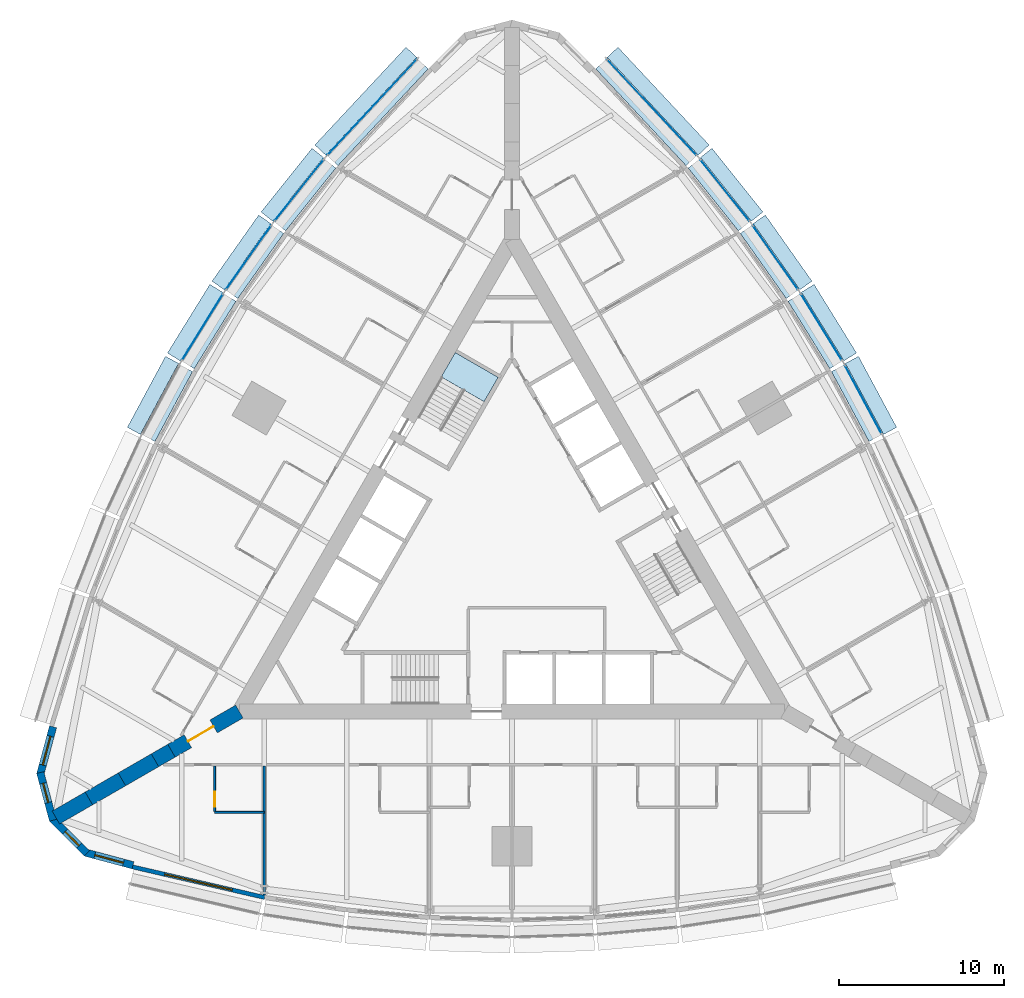
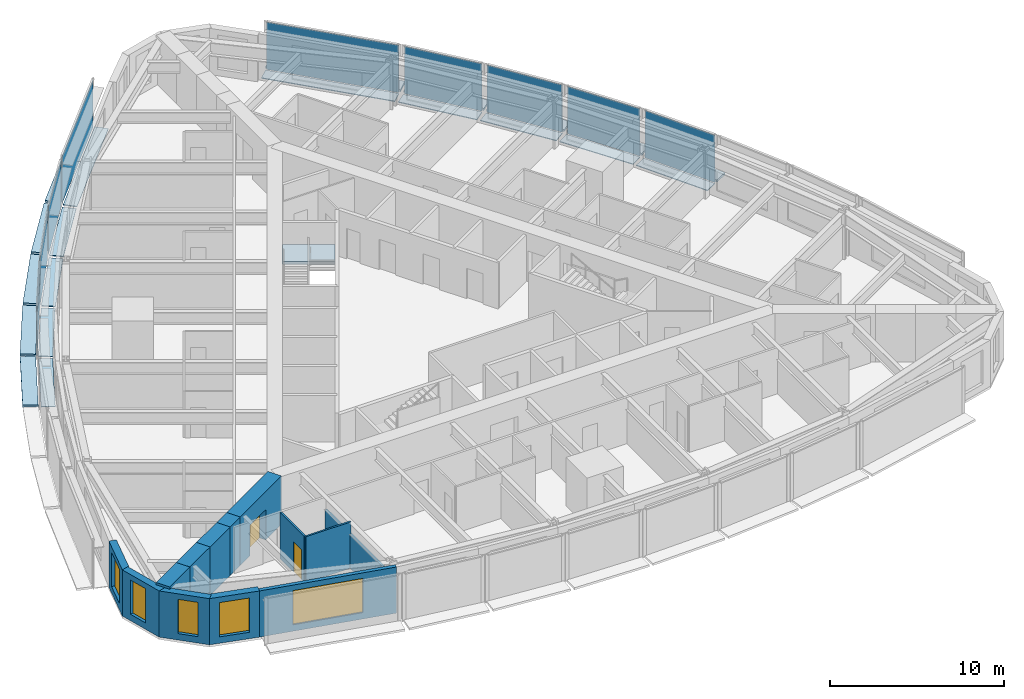
# One storey, part 7 of 14: 29 plates, 13 walls, 5 windows, 2 doors, 1 slab, 7 openings, 10 elements without a shape of their own.
"""IFC4 building model written with IfcOpenShell, lengths in metres."""

from ifc_helpers import new_model, si_unit, direction, frame, frame_2d, origin, origin_2d, place, context, subcontext, project, spatial, polyline, rectangle, outline, extrude, material, layer, layer_set, type_object, element, fill, aggregate, save


model = new_model("IFC4")

# Units and contexts
model_context = context("Model", 3, precision=1e-05, world=origin(), true_north=direction((0.0, 1.0)))
body_context = subcontext(model_context, "Body", "Model", "MODEL_VIEW")
ifc_project = project(units=[si_unit("LENGTHUNIT", "METRE"), si_unit("AREAUNIT", "SQUARE_METRE"), si_unit("VOLUMEUNIT", "CUBIC_METRE"), si_unit("PLANEANGLEUNIT", "RADIAN"), si_unit("MASSUNIT", "GRAM", prefix="KILO")], contexts=[model_context])

# Site, building, storey
site_placement = place(None, origin())
site = spatial("IfcSite", under=ifc_project, at=site_placement, CompositionType="ELEMENT")
building_placement = place(site_placement, origin())
building = spatial("IfcBuilding", under=site, at=building_placement, Name="Trikona Tower", CompositionType="ELEMENT")
storey_placement = place(building_placement, frame((0.0, 0.0, 93.10009765625)))
storey = spatial("IfcBuildingStorey", under=building, at=storey_placement, Name="L24", CompositionType="ELEMENT", Elevation=93.10009765625)

# Plates
ifc_material_1 = material(Name="Aluminium bar grating", Category="aluminium")
ifc_layer_1 = layer(ifc_material_1, 0.050048828125)
ifc_layer_set_1 = layer_set([ifc_layer_1], Name="Cavity catwalk grating")
plate_type_1 = type_object("IfcPlateType", Name="Cavity catwalk grating", PredefinedType="USERDEFINED", material=ifc_layer_set_1)
for number, where, z_axis, x_axis, name in (
    (1, (20.833740234375, 9.127197265625, -0.05029296875), (0.0, 0.0, 1.0), (-0.473422672721, 0.880835383572, 0.0), "Cavity catwalk L24-15"),
    (2, (18.3212890625, 13.47900390625, -0.05029296875), (0.0, 0.0, 1.0), (-0.526118935114, 0.85041099835, 0.0), "Cavity catwalk L24-16"),
):
    element("IfcPlate", number, at=place(storey_placement, frame(where, z_axis=z_axis, x_axis=x_axis)), inside=storey, type_object=plate_type_1, Name=name, ObjectType="CATWALK GRATING", PredefinedType="USERDEFINED", context=body_context, shape_type="SweptSolid", body=[
        extrude(rectangle(XDim=4.80224609375, YDim=0.820068359375, at=origin_2d()), origin(), (0.0, 0.0, 1.0), 0.050048828125),
    ])
plate_1_placement = place(storey_placement, frame((15.544189453125, 17.677734375, -0.05029296875), z_axis=(0.0, 0.0, 1.0), x_axis=(-0.576661909499, 0.816982889743, 0.0)))
element("IfcPlate", 3, at=plate_1_placement, inside=storey, type_object=plate_type_1, Name="Cavity catwalk L24-17", ObjectType="CATWALK GRATING", PredefinedType="USERDEFINED", context=body_context, shape_type="SweptSolid", body=[
    extrude(rectangle(XDim=4.82080078125, YDim=0.820068359375, at=origin_2d()), origin(), (0.0, 0.0, 1.0), 0.050048828125),
])
plate_2_placement = place(storey_placement, frame((12.502197265625, 21.72314453125, -0.05029296875), z_axis=(0.0, 0.0, 1.0), x_axis=(-0.624603618277, 0.780941944087, 0.0)))
element("IfcPlate", 4, at=plate_2_placement, inside=storey, type_object=plate_type_1, Name="Cavity catwalk L24-18", ObjectType="CATWALK GRATING", PredefinedType="USERDEFINED", context=body_context, shape_type="SweptSolid", body=[
    extrude(rectangle(XDim=4.857666015625, YDim=0.820068359375, at=origin_2d()), origin(), (0.0, 0.0, 1.0), 0.050048828125),
])
for number, where, z_axis, x_axis, name in (
    (5, (8.10107421875, 26.72314453125, -0.05029296875), (0.0, 0.0, 1.0), (-0.682298269147, 0.731073916864, 0.0), "Cavity catwalk L24-19"),
    (6, (-8.10107421875, 26.72314453125, -0.05029296875), (0.0, 0.0, 1.0), (-0.682298269147, -0.731073916864, 0.0), "Cavity catwalk L24-24"),
):
    element("IfcPlate", number, at=place(storey_placement, frame(where, z_axis=z_axis, x_axis=x_axis)), inside=storey, type_object=plate_type_1, Name=name, ObjectType="CATWALK GRATING", PredefinedType="USERDEFINED", context=body_context, shape_type="SweptSolid", body=[
        extrude(rectangle(XDim=8.01123046875, YDim=0.820068359375, at=origin_2d()), origin(), (0.0, 0.0, 1.0), 0.050048828125),
    ])
plate_3_placement = place(storey_placement, frame((-12.502197265625, 21.72314453125, -0.05029296875), z_axis=(0.0, 0.0, 1.0), x_axis=(-0.624603618277, -0.780941944087, 0.0)))
element("IfcPlate", 7, at=plate_3_placement, inside=storey, type_object=plate_type_1, Name="Cavity catwalk L24-25", ObjectType="CATWALK GRATING", PredefinedType="USERDEFINED", context=body_context, shape_type="SweptSolid", body=[
    extrude(rectangle(XDim=4.857666015625, YDim=0.820068359375, at=origin_2d()), origin(), (0.0, 0.0, 1.0), 0.050048828125),
])
plate_4_placement = place(storey_placement, frame((-15.544189453125, 17.677734375, -0.05029296875), z_axis=(0.0, 0.0, 1.0), x_axis=(-0.576661909499, -0.816982889743, 0.0)))
element("IfcPlate", 8, at=plate_4_placement, inside=storey, type_object=plate_type_1, Name="Cavity catwalk L24-26", ObjectType="CATWALK GRATING", PredefinedType="USERDEFINED", context=body_context, shape_type="SweptSolid", body=[
    extrude(rectangle(XDim=4.82080078125, YDim=0.820068359375, at=origin_2d()), origin(), (0.0, 0.0, 1.0), 0.050048828125),
])
for number, where, z_axis, x_axis, name in (
    (9, (-18.3212890625, 13.47900390625, -0.05029296875), (0.0, 0.0, 1.0), (-0.526118935114, -0.85041099835, 0.0), "Cavity catwalk L24-27"),
    (10, (-20.833740234375, 9.127197265625, -0.05029296875), (0.0, 0.0, 1.0), (-0.473422672721, -0.880835383572, 0.0), "Cavity catwalk L24-28"),
):
    element("IfcPlate", number, at=place(storey_placement, frame(where, z_axis=z_axis, x_axis=x_axis)), inside=storey, type_object=plate_type_1, Name=name, ObjectType="CATWALK GRATING", PredefinedType="USERDEFINED", context=body_context, shape_type="SweptSolid", body=[
        extrude(rectangle(XDim=4.80224609375, YDim=0.820068359375, at=origin_2d()), origin(), (0.0, 0.0, 1.0), 0.050048828125),
    ])

# Curtain wall, plate
ifc_material_2 = material(Name="Aluminium curtain wall system", Category="aluminium")
curtain_wall_type = type_object("IfcCurtainWallType", Name="Curtain wall DS1", PredefinedType="NOTDEFINED", material=ifc_material_2)
curtain_wall_1_placement = place(storey_placement, origin())
curtain_wall_1 = element("IfcCurtainWall", 11, at=curtain_wall_1_placement, inside=storey, type_object=curtain_wall_type, Name="Curtain wall DS1 L24", PredefinedType="NOTDEFINED")
ifc_material_3 = material(Name="Laminated clear glass", Category="glass")
ifc_layer_2 = layer(ifc_material_3, 0.028076171875)
ifc_layer_set_2 = layer_set([ifc_layer_2], Name="Glass panel DS1")
plate_type_2 = type_object("IfcPlateType", Name="Glass panel DS1", PredefinedType="CURTAIN_PANEL", material=ifc_layer_set_2)
plate_5_placement = place(storey_placement, frame((21.265380859375, 9.359130859375, 0.0), z_axis=(0.0, 0.0, 1.0), x_axis=(-0.473408350896, 0.880843080975, 0.0)))
plate_5 = element("IfcPlate", 12, at=plate_5_placement, type_object=plate_type_2, Name="CW-DS1 panel 1.1", PredefinedType="CURTAIN_PANEL", context=body_context, shape_type="SweptSolid", body=[
    extrude(rectangle(XDim=4.72216796875, YDim=0.028076171875, at=origin_2d()), origin(), (0.0, 0.0, 1.0), 3.320068359375),
])
aggregate(curtain_wall_1, [plate_5])

curtain_wall_2_placement = place(storey_placement, origin())
curtain_wall_2 = element("IfcCurtainWall", 13, at=curtain_wall_2_placement, inside=storey, type_object=curtain_wall_type, Name="Curtain wall DS1 L24", PredefinedType="NOTDEFINED")
plate_6_placement = place(storey_placement, frame((18.738037109375, 13.73681640625, 0.0), z_axis=(0.0, 0.0, 1.0), x_axis=(-0.526119790842, 0.850410468941, 0.0)))
plate_6 = element("IfcPlate", 14, at=plate_6_placement, type_object=plate_type_2, Name="CW-DS1 panel 1.1", PredefinedType="CURTAIN_PANEL", context=body_context, shape_type="SweptSolid", body=[
    extrude(rectangle(XDim=4.722412109375, YDim=0.028076171875, at=origin_2d()), origin(), (0.0, 0.0, 1.0), 3.320068359375),
])
aggregate(curtain_wall_2, [plate_6])

curtain_wall_3_placement = place(storey_placement, origin())
curtain_wall_3 = element("IfcCurtainWall", 15, at=curtain_wall_3_placement, inside=storey, type_object=curtain_wall_type, Name="Curtain wall DS1 L24", PredefinedType="NOTDEFINED")
plate_7_placement = place(storey_placement, frame((15.9443359375, 17.960205078125, 0.0), z_axis=(0.0, 0.0, 1.0), x_axis=(-0.576658362928, 0.816985393055, 0.0)))
plate_7 = element("IfcPlate", 16, at=plate_7_placement, type_object=plate_type_2, Name="CW-DS1 panel 1.1", PredefinedType="CURTAIN_PANEL", context=body_context, shape_type="SweptSolid", body=[
    extrude(rectangle(XDim=4.74072265625, YDim=0.028076171875, at=origin_2d()), origin(), (0.0, 0.0, 1.0), 3.320068359375),
])
aggregate(curtain_wall_3, [plate_7])

curtain_wall_4_placement = place(storey_placement, origin())
curtain_wall_4 = element("IfcCurtainWall", 17, at=curtain_wall_4_placement, inside=storey, type_object=curtain_wall_type, Name="Curtain wall DS1 L24", PredefinedType="NOTDEFINED")
plate_8_placement = place(storey_placement, frame((12.884765625, 22.029296875, 0.0), z_axis=(0.0, 0.0, 1.0), x_axis=(-0.624608599951, 0.780937959679, 0.0)))
plate_8 = element("IfcPlate", 18, at=plate_8_placement, type_object=plate_type_2, Name="CW-DS1 panel 1.1", PredefinedType="CURTAIN_PANEL", context=body_context, shape_type="SweptSolid", body=[
    extrude(rectangle(XDim=4.777587890625, YDim=0.028076171875, at=origin_2d()), origin(), (0.0, 0.0, 1.0), 3.320068359375),
])
aggregate(curtain_wall_4, [plate_8])

curtain_wall_5_placement = place(storey_placement, origin())
curtain_wall_5 = element("IfcCurtainWall", 19, at=curtain_wall_5_placement, inside=storey, type_object=curtain_wall_type, Name="Curtain wall DS1 L24", PredefinedType="NOTDEFINED")
plate_9_placement = place(storey_placement, frame((8.459228515625, 27.057373046875, 0.0), z_axis=(0.0, 0.0, 1.0), x_axis=(-0.682295351967, 0.731076639405, 0.0)))
plate_9 = element("IfcPlate", 20, at=plate_9_placement, type_object=plate_type_2, Name="CW-DS1 panel 1.1", PredefinedType="CURTAIN_PANEL", context=body_context, shape_type="SweptSolid", body=[
    extrude(rectangle(XDim=7.93115234375, YDim=0.028076171875, at=origin_2d()), origin(), (0.0, 0.0, 1.0), 3.320068359375),
])
aggregate(curtain_wall_5, [plate_9])

curtain_wall_6_placement = place(storey_placement, origin())
curtain_wall_6 = element("IfcCurtainWall", 21, at=curtain_wall_6_placement, inside=storey, type_object=curtain_wall_type, Name="Curtain wall DS1 L24", PredefinedType="NOTDEFINED")
plate_10_placement = place(storey_placement, frame((-8.459228515625, 27.057373046875, 0.0), z_axis=(0.0, 0.0, 1.0), x_axis=(-0.682295351967, -0.731076639405, 0.0)))
plate_10 = element("IfcPlate", 22, at=plate_10_placement, type_object=plate_type_2, Name="CW-DS1 panel 1.1", PredefinedType="CURTAIN_PANEL", context=body_context, shape_type="SweptSolid", body=[
    extrude(rectangle(XDim=7.93115234375, YDim=0.028076171875, at=origin_2d()), origin(), (0.0, 0.0, 1.0), 3.320068359375),
])
aggregate(curtain_wall_6, [plate_10])

curtain_wall_7_placement = place(storey_placement, origin())
curtain_wall_7 = element("IfcCurtainWall", 23, at=curtain_wall_7_placement, inside=storey, type_object=curtain_wall_type, Name="Curtain wall DS1 L24", PredefinedType="NOTDEFINED")
plate_11_placement = place(storey_placement, frame((-12.884765625, 22.029296875, 0.0), z_axis=(0.0, 0.0, 1.0), x_axis=(-0.624608599951, -0.780937959679, 0.0)))
plate_11 = element("IfcPlate", 24, at=plate_11_placement, type_object=plate_type_2, Name="CW-DS1 panel 1.1", PredefinedType="CURTAIN_PANEL", context=body_context, shape_type="SweptSolid", body=[
    extrude(rectangle(XDim=4.777587890625, YDim=0.028076171875, at=origin_2d()), origin(), (0.0, 0.0, 1.0), 3.320068359375),
])
aggregate(curtain_wall_7, [plate_11])

curtain_wall_8_placement = place(storey_placement, origin())
curtain_wall_8 = element("IfcCurtainWall", 25, at=curtain_wall_8_placement, inside=storey, type_object=curtain_wall_type, Name="Curtain wall DS1 L24", PredefinedType="NOTDEFINED")
plate_12_placement = place(storey_placement, frame((-15.9443359375, 17.960205078125, 0.0), z_axis=(0.0, 0.0, 1.0), x_axis=(-0.576658362928, -0.816985393055, 0.0)))
plate_12 = element("IfcPlate", 26, at=plate_12_placement, type_object=plate_type_2, Name="CW-DS1 panel 1.1", PredefinedType="CURTAIN_PANEL", context=body_context, shape_type="SweptSolid", body=[
    extrude(rectangle(XDim=4.74072265625, YDim=0.028076171875, at=origin_2d()), origin(), (0.0, 0.0, 1.0), 3.320068359375),
])
aggregate(curtain_wall_8, [plate_12])

curtain_wall_9_placement = place(storey_placement, origin())
curtain_wall_9 = element("IfcCurtainWall", 27, at=curtain_wall_9_placement, inside=storey, type_object=curtain_wall_type, Name="Curtain wall DS1 L24", PredefinedType="NOTDEFINED")
plate_13_placement = place(storey_placement, frame((-18.738037109375, 13.73681640625, 0.0), z_axis=(0.0, 0.0, 1.0), x_axis=(-0.526119790842, -0.850410468941, 0.0)))
plate_13 = element("IfcPlate", 28, at=plate_13_placement, type_object=plate_type_2, Name="CW-DS1 panel 1.1", PredefinedType="CURTAIN_PANEL", context=body_context, shape_type="SweptSolid", body=[
    extrude(rectangle(XDim=4.722412109375, YDim=0.028076171875, at=origin_2d()), origin(), (0.0, 0.0, 1.0), 3.320068359375),
])
aggregate(curtain_wall_9, [plate_13])

# Plates
ifc_material_4 = material(Name="Aluminium plate fin, pale anodised, on stainless steel outriggers", Category="steel")
ifc_layer_3 = layer(ifc_material_4, 0.14990234375)
ifc_layer_set_3 = layer_set([ifc_layer_3], Name="Outer skin fin 900")
plate_type_3 = type_object("IfcPlateType", Name="Outer skin fin 900", PredefinedType="USERDEFINED", material=ifc_layer_set_3)
for number, where, z_axis, x_axis, name in (
    (29, (21.732421875, 9.610107421875, 0.0), (0.0, 0.0, 1.0), (-0.473422672721, 0.880835383572, 0.0), "Outer skin fin L24-15"),
    (30, (19.188720703125, 14.015625, 0.0), (0.0, 0.0, 1.0), (-0.526118935114, 0.85041099835, 0.0), "Outer skin fin L24-16"),
):
    element("IfcPlate", number, at=place(storey_placement, frame(where, z_axis=z_axis, x_axis=x_axis)), inside=storey, type_object=plate_type_3, Name=name, ObjectType="FIN", PredefinedType="USERDEFINED", context=body_context, shape_type="SweptSolid", body=[
        extrude(rectangle(XDim=4.88232421875, YDim=0.89990234375, at=origin_2d()), origin(), (0.0, 0.0, 1.0), 0.14990234375),
    ])
plate_14_placement = place(storey_placement, frame((16.37744140625, 18.265869140625, 0.0), z_axis=(0.0, 0.0, 1.0), x_axis=(-0.576661909499, 0.816982889743, 0.0)))
element("IfcPlate", 31, at=plate_14_placement, inside=storey, type_object=plate_type_3, Name="Outer skin fin L24-17", ObjectType="FIN", PredefinedType="USERDEFINED", context=body_context, shape_type="SweptSolid", body=[
    extrude(rectangle(XDim=4.90087890625, YDim=0.89990234375, at=origin_2d()), origin(), (0.0, 0.0, 1.0), 0.14990234375),
])
plate_15_placement = place(storey_placement, frame((13.298583984375, 22.360107421875, 0.0), z_axis=(0.0, 0.0, 1.0), x_axis=(-0.624603618277, 0.780941944087, 0.0)))
element("IfcPlate", 32, at=plate_15_placement, inside=storey, type_object=plate_type_3, Name="Outer skin fin L24-18", ObjectType="FIN", PredefinedType="USERDEFINED", context=body_context, shape_type="SweptSolid", body=[
    extrude(rectangle(XDim=4.9375, YDim=0.89990234375, at=origin_2d()), origin(), (0.0, 0.0, 1.0), 0.14990234375),
])
for number, where, z_axis, x_axis, name in (
    (33, (8.8466796875, 27.419189453125, 0.0), (0.0, 0.0, 1.0), (-0.682298269147, 0.731073916864, 0.0), "Outer skin fin L24-19"),
    (34, (-8.8466796875, 27.419189453125, 0.0), (0.0, 0.0, 1.0), (-0.682298269147, -0.731073916864, 0.0), "Outer skin fin L24-24"),
):
    element("IfcPlate", number, at=place(storey_placement, frame(where, z_axis=z_axis, x_axis=x_axis)), inside=storey, type_object=plate_type_3, Name=name, ObjectType="FIN", PredefinedType="USERDEFINED", context=body_context, shape_type="SweptSolid", body=[
        extrude(rectangle(XDim=8.09130859375, YDim=0.89990234375, at=origin_2d()), origin(), (0.0, 0.0, 1.0), 0.14990234375),
    ])
plate_16_placement = place(storey_placement, frame((-13.298583984375, 22.360107421875, 0.0), z_axis=(0.0, 0.0, 1.0), x_axis=(-0.624603618277, -0.780941944087, 0.0)))
element("IfcPlate", 35, at=plate_16_placement, inside=storey, type_object=plate_type_3, Name="Outer skin fin L24-25", ObjectType="FIN", PredefinedType="USERDEFINED", context=body_context, shape_type="SweptSolid", body=[
    extrude(rectangle(XDim=4.9375, YDim=0.89990234375, at=origin_2d()), origin(), (0.0, 0.0, 1.0), 0.14990234375),
])
plate_17_placement = place(storey_placement, frame((-16.37744140625, 18.265869140625, 0.0), z_axis=(0.0, 0.0, 1.0), x_axis=(-0.576661909499, -0.816982889743, 0.0)))
element("IfcPlate", 36, at=plate_17_placement, inside=storey, type_object=plate_type_3, Name="Outer skin fin L24-26", ObjectType="FIN", PredefinedType="USERDEFINED", context=body_context, shape_type="SweptSolid", body=[
    extrude(rectangle(XDim=4.90087890625, YDim=0.89990234375, at=origin_2d()), origin(), (0.0, 0.0, 1.0), 0.14990234375),
])
for number, where, z_axis, x_axis, name in (
    (37, (-19.188720703125, 14.015625, 0.0), (0.0, 0.0, 1.0), (-0.526118935114, -0.85041099835, 0.0), "Outer skin fin L24-27"),
    (38, (-21.732421875, 9.610107421875, 0.0), (0.0, 0.0, 1.0), (-0.473422672721, -0.880835383572, 0.0), "Outer skin fin L24-28"),
):
    element("IfcPlate", number, at=place(storey_placement, frame(where, z_axis=z_axis, x_axis=x_axis)), inside=storey, type_object=plate_type_3, Name=name, ObjectType="FIN", PredefinedType="USERDEFINED", context=body_context, shape_type="SweptSolid", body=[
        extrude(rectangle(XDim=4.88232421875, YDim=0.89990234375, at=origin_2d()), origin(), (0.0, 0.0, 1.0), 0.14990234375),
    ])

# Stair, slab
ifc_material_5 = material(Name="Concrete f'c 5000 psi", Category="concrete")
stair_type = type_object("IfcStairType", Name="Core stair", PredefinedType="HALF_TURN_STAIR", material=ifc_material_5)
stair_placement = place(storey_placement, origin())
stair = element("IfcStair", 39, at=stair_placement, inside=storey, type_object=stair_type, Name="Stair C L24", PredefinedType="HALF_TURN_STAIR")
ifc_material_6 = material(Name="Concrete f'c 5000 psi", Category="concrete")
ifc_layer_4 = layer(ifc_material_6, 0.199951171875)
ifc_layer_set_4 = layer_set([ifc_layer_4], Name="Stair landing 200")
slab_type = type_object("IfcSlabType", Name="Stair landing 200", PredefinedType="LANDING", material=ifc_layer_set_4)
slab_placement = place(storey_placement, frame((0.0, 0.0, 1.5)))
slab = element("IfcSlab", 40, at=slab_placement, type_object=slab_type, Name="ST-C landing 2", PredefinedType="LANDING", context=body_context, shape_type="SweptSolid", body=[
    extrude(outline(polyline([(-0.837158203125, 10.702392578125), (-1.688720703125, 9.2275390625), (-4.286865234375, 10.7275390625), (-3.435302734375, 12.202392578125), (-0.837158203125, 10.702392578125)])), origin(), (0.0, 0.0, 1.0), 0.199951171875),
])
aggregate(stair, [slab])

# Wall
ifc_material_7 = material(Name="Metal stud and cement board", Category="gypsum")
ifc_layer_5 = layer(ifc_material_7, 0.1201171875)
ifc_layer_set_5 = layer_set([ifc_layer_5], Name="Bathroom wall 120")
wall_type_1 = type_object("IfcWallType", Name="Bathroom wall 120", PredefinedType="PLUMBINGWALL", material=ifc_layer_set_5)
wall_1_placement = place(storey_placement, frame((-18.0, -15.626220703125, 0.0), z_axis=(0.0, 0.0, 1.0), x_axis=(1.0, 0.0, 0.0)))
element("IfcWall", 41, at=wall_1_placement, inside=storey, type_object=wall_type_1, Name="Bathroom wall 2401", PredefinedType="PLUMBINGWALL", context=body_context, shape_type="SweptSolid", body=[
    extrude(rectangle(XDim=3.0, YDim=0.1201171875, at=frame_2d((1.5, 0.0))), origin(), (0.0, 0.0, 1.0), 3.23486328125),
])

# Wall, opening, door
wall_2_placement = place(storey_placement, frame((-18.0, -12.826416015625, 0.0), z_axis=(0.0, 0.0, 1.0), x_axis=(0.0, -1.0, 0.0)))
wall_2 = element("IfcWall", 42, at=wall_2_placement, inside=storey, type_object=wall_type_1, Name="Bathroom wall 2401", PredefinedType="PLUMBINGWALL", context=body_context, shape_type="SweptSolid", body=[
    extrude(rectangle(XDim=2.739990234375, YDim=0.1201171875, at=frame_2d((1.3701171875, 0.0))), origin(), (0.0, 0.0, 1.0), 3.23486328125),
])
opening_1_placement = place(wall_2_placement, frame((1.550048828125, 0.0, 0.0)))
opening_1 = element("IfcOpeningElement", 43, at=opening_1_placement, cuts=wall_2, Name="Opening D2", PredefinedType="OPENING", context=body_context, shape_type="SweptSolid", body=[
    extrude(rectangle(XDim=0.89990234375, YDim=2.1298828125, at=frame_2d((0.449951171875, 1.06494140625))), frame((0.0, 0.070068359375, 0.0), z_axis=(0.0, -1.0, 0.0), x_axis=(1.0, 0.0, 0.0)), (0.0, 0.0, 1.0), 0.14013671875),
])
ifc_material_8 = material(Name="Steel door frame with solid-core timber leaf", Category="steel")
door_type_1 = type_object("IfcDoorType", Name="Bathroom door 900x2130", OperationType="SLIDING_TO_LEFT", PredefinedType="DOOR", material=ifc_material_8)
door_1_placement = place(opening_1_placement, origin())
door_1 = element("IfcDoor", 44, at=door_1_placement, inside=storey, type_object=door_type_1, Name="Bathroom door 2401", OperationType="SLIDING_TO_LEFT", OverallHeight=2.1298828125, OverallWidth=0.89990234375, PredefinedType="DOOR", context=body_context, shape_type="SweptSolid", body=[
    extrude(rectangle(XDim=0.89990234375, YDim=2.1298828125, at=frame_2d((0.449951171875, 1.06494140625))), frame((0.0, 0.02490234375, 0.0), z_axis=(0.0, -1.0, 0.0), x_axis=(1.0, 0.0, 0.0)), (0.0, 0.0, 1.0), 0.050048828125),
])
fill(opening_1, door_1)

# Wall, opening, window
ifc_material_9 = material(Name="Brick-faced precast concrete", Category="masonry")
ifc_layer_6 = layer(ifc_material_9, 0.449951171875)
ifc_layer_set_6 = layer_set([ifc_layer_6], Name="Brick-faced corner wall 450")
wall_type_2 = type_object("IfcWallType", Name="Brick-faced corner wall 450", PredefinedType="SOLIDWALL", material=ifc_layer_set_6)
wall_3_placement = place(storey_placement, frame((-27.78271484375, -10.450439453125, 0.0), z_axis=(0.0, 0.0, 1.0), x_axis=(-0.258780998834, -0.965936019953, 0.0)))
wall_3 = element("IfcWall", 45, at=wall_3_placement, inside=storey, type_object=wall_type_2, Name="External wall L24-32", PredefinedType="SOLIDWALL", context=body_context, shape_type="SweptSolid", body=[
    extrude(rectangle(XDim=2.98876953125, YDim=0.449951171875, at=frame_2d((1.494384765625, 0.0))), origin(), (0.0, 0.0, 1.0), 3.23486328125),
])
opening_2_placement = place(wall_3_placement, frame((0.59423828125, 0.0, 0.449951171875)))
opening_2 = element("IfcOpeningElement", 46, at=opening_2_placement, cuts=wall_3, Name="Opening W1824", PredefinedType="OPENING", context=body_context, shape_type="SweptSolid", body=[
    extrude(rectangle(XDim=1.800048828125, YDim=2.39990234375, at=frame_2d((0.89990234375, 1.199951171875))), frame((0.0, 0.23486328125, 0.0), z_axis=(0.0, -1.0, 0.0), x_axis=(1.0, 0.0, 0.0)), (0.0, 0.0, 1.0), 0.469970703125),
])
ifc_material_10 = material(Name="Aluminium-framed double glazing", Category="aluminium")
window_type_1 = type_object("IfcWindowType", Name="Window 1800x2400", PartitioningType="SINGLE_PANEL", PredefinedType="WINDOW", material=ifc_material_10)
window_1_placement = place(opening_2_placement, origin())
window_1 = element("IfcWindow", 47, at=window_1_placement, inside=storey, type_object=window_type_1, Name="Window 2416", OverallHeight=2.39990234375, OverallWidth=1.800048828125, PartitioningType="SINGLE_PANEL", PredefinedType="WINDOW", context=body_context, shape_type="SweptSolid", body=[
    extrude(rectangle(XDim=1.800048828125, YDim=2.39990234375, at=frame_2d((0.89990234375, 1.199951171875))), frame((0.0, 0.030029296875, 0.0), z_axis=(0.0, -1.0, 0.0), x_axis=(1.0, 0.0, 0.0)), (0.0, 0.0, 1.0), 0.06005859375),
])
fill(opening_2, window_1)

wall_4_placement = place(storey_placement, frame((-28.55615234375, -13.220947265625, 0.0), z_axis=(0.0, 0.0, 1.0), x_axis=(0.258801419081, -0.965930548995, 0.0)))
wall_4 = element("IfcWall", 48, at=wall_4_placement, inside=storey, type_object=wall_type_2, Name="External wall L24-33", PredefinedType="SOLIDWALL", context=body_context, shape_type="SweptSolid", body=[
    extrude(outline(polyline([(2.988525390625, 0.22509765625), (2.928955078125, 0.22509765625), (2.437255859375, 0.09326171875), (2.402099609375, 0.22509765625), (0.0, 0.22509765625), (0.0, -0.22509765625), (2.988525390625, -0.22509765625), (2.988525390625, 0.22509765625)])), origin(), (0.0, 0.0, 1.0), 3.23486328125),
])
opening_3_placement = place(wall_4_placement, frame((0.676025390625, 0.0, 0.449951171875)))
opening_3 = element("IfcOpeningElement", 49, at=opening_3_placement, cuts=wall_4, Name="Opening W1224", PredefinedType="OPENING", context=body_context, shape_type="SweptSolid", body=[
    extrude(rectangle(XDim=1.199951171875, YDim=2.39990234375, at=frame_2d((0.60009765625, 1.199951171875))), frame((0.0, 0.23486328125, 0.0), z_axis=(0.0, -1.0, 0.0), x_axis=(1.0, 0.0, 0.0)), (0.0, 0.0, 1.0), 0.469970703125),
])
ifc_material_11 = material(Name="Aluminium-framed double glazing", Category="aluminium")
window_type_2 = type_object("IfcWindowType", Name="Window 1200x2400", PartitioningType="SINGLE_PANEL", PredefinedType="WINDOW", material=ifc_material_11)
window_2_placement = place(opening_3_placement, origin())
window_2 = element("IfcWindow", 50, at=window_2_placement, inside=storey, type_object=window_type_2, Name="Window 2416", OverallHeight=2.39990234375, OverallWidth=1.199951171875, PartitioningType="SINGLE_PANEL", PredefinedType="WINDOW", context=body_context, shape_type="SweptSolid", body=[
    extrude(rectangle(XDim=1.199951171875, YDim=2.39990234375, at=frame_2d((0.60009765625, 1.199951171875))), frame((0.0, 0.030029296875, 0.0), z_axis=(0.0, -1.0, 0.0), x_axis=(1.0, 0.0, 0.0)), (0.0, 0.0, 1.0), 0.06005859375),
])
fill(opening_3, window_2)

wall_5_placement = place(storey_placement, frame((-27.8408203125, -16.006591796875, 0.0), z_axis=(0.0, 0.0, 1.0), x_axis=(0.707025086683, -0.707188466253, 0.0)))
wall_5 = element("IfcWall", 51, at=wall_5_placement, inside=storey, type_object=wall_type_2, Name="External wall L24-34", PredefinedType="SOLIDWALL", context=body_context, shape_type="SweptSolid", body=[
    extrude(outline(polyline([(2.988525390625, 0.22509765625), (0.58642578125, 0.22509765625), (0.551025390625, 0.093017578125), (0.058837890625, 0.22509765625), (0.0, 0.22509765625), (0.0, -0.22509765625), (2.988525390625, -0.22509765625), (2.988525390625, 0.22509765625)])), origin(), (0.0, 0.0, 1.0), 3.23486328125),
])
opening_4_placement = place(wall_5_placement, frame((1.112548828125, 0.0, 0.449951171875)))
opening_4 = element("IfcOpeningElement", 52, at=opening_4_placement, cuts=wall_5, Name="Opening W1224", PredefinedType="OPENING", context=body_context, shape_type="SweptSolid", body=[
    extrude(rectangle(XDim=1.199951171875, YDim=2.39990234375, at=frame_2d((0.60009765625, 1.199951171875))), frame((0.0, 0.23486328125, 0.0), z_axis=(0.0, -1.0, 0.0), x_axis=(1.0, 0.0, 0.0)), (0.0, 0.0, 1.0), 0.469970703125),
])
window_3_placement = place(opening_4_placement, origin())
window_3 = element("IfcWindow", 53, at=window_3_placement, inside=storey, type_object=window_type_2, Name="Window 2401", OverallHeight=2.39990234375, OverallWidth=1.199951171875, PartitioningType="SINGLE_PANEL", PredefinedType="WINDOW", context=body_context, shape_type="SweptSolid", body=[
    extrude(rectangle(XDim=1.199951171875, YDim=2.39990234375, at=frame_2d((0.60009765625, 1.199951171875))), frame((0.0, 0.030029296875, 0.0), z_axis=(0.0, -1.0, 0.0), x_axis=(1.0, 0.0, 0.0)), (0.0, 0.0, 1.0), 0.06005859375),
])
fill(opening_4, window_3)

wall_6_placement = place(storey_placement, frame((-25.82861328125, -18.061767578125, 0.0), z_axis=(0.0, 0.0, 1.0), x_axis=(0.965930548995, -0.258801419081, 0.0)))
wall_6 = element("IfcWall", 54, at=wall_6_placement, inside=storey, type_object=wall_type_2, Name="External wall L24-35", PredefinedType="SOLIDWALL", context=body_context, shape_type="SweptSolid", body=[
    extrude(rectangle(XDim=2.988525390625, YDim=0.449951171875, at=frame_2d((1.494140625, 0.0))), origin(), (0.0, 0.0, 1.0), 3.23486328125),
])
opening_5_placement = place(wall_6_placement, frame((0.59423828125, 0.0, 0.449951171875)))
opening_5 = element("IfcOpeningElement", 55, at=opening_5_placement, cuts=wall_6, Name="Opening W1824", PredefinedType="OPENING", context=body_context, shape_type="SweptSolid", body=[
    extrude(rectangle(XDim=1.800048828125, YDim=2.39990234375, at=frame_2d((0.89990234375, 1.199951171875))), frame((0.0, 0.23486328125, 0.0), z_axis=(0.0, -1.0, 0.0), x_axis=(1.0, 0.0, 0.0)), (0.0, 0.0, 1.0), 0.469970703125),
])
window_4_placement = place(opening_5_placement, origin())
window_4 = element("IfcWindow", 56, at=window_4_placement, inside=storey, type_object=window_type_1, Name="Window 2401", OverallHeight=2.39990234375, OverallWidth=1.800048828125, PartitioningType="SINGLE_PANEL", PredefinedType="WINDOW", context=body_context, shape_type="SweptSolid", body=[
    extrude(rectangle(XDim=1.800048828125, YDim=2.39990234375, at=frame_2d((0.89990234375, 1.199951171875))), frame((0.0, 0.030029296875, 0.0), z_axis=(0.0, -1.0, 0.0), x_axis=(1.0, 0.0, 0.0)), (0.0, 0.0, 1.0), 0.06005859375),
])
fill(opening_5, window_4)

# Wall, opening, door
ifc_material_12 = material(Name="Concrete f'c 10000 psi", Category="concrete")
ifc_layer_7 = layer(ifc_material_12, 0.89990234375)
ifc_layer_set_7 = layer_set([ifc_layer_7], Name="Buttress wall 900")
wall_type_3 = type_object("IfcWallType", Name="Buttress wall 900", PredefinedType="SHEAR", material=ifc_layer_set_7)
wall_7_placement = place(storey_placement, frame((-16.5, -9.5263671875, 0.0), z_axis=(0.0, 0.0, 1.0), x_axis=(-0.866031398331, -0.499989616998, 0.0)))
wall_7 = element("IfcWall", 57, at=wall_7_placement, inside=storey, type_object=wall_type_3, Name="Buttress wall 3", PredefinedType="SHEAR", context=body_context, shape_type="SweptSolid", body=[
    extrude(rectangle(XDim=4.74609375, YDim=0.89990234375, at=frame_2d((2.373046875, 0.0))), origin(), (0.0, 0.0, 1.0), 3.39990234375),
])
opening_6_placement = place(wall_7_placement, frame((1.800048828125, 0.0, 0.0)))
opening_6 = element("IfcOpeningElement", 58, at=opening_6_placement, cuts=wall_7, Name="Opening D10", PredefinedType="OPENING", context=body_context, shape_type="SweptSolid", body=[
    extrude(rectangle(XDim=1.800048828125, YDim=2.1298828125, at=frame_2d((0.89990234375, 1.06494140625))), frame((0.0, 0.4599609375, 0.0), z_axis=(0.0, -1.0, 0.0), x_axis=(1.0, 0.0, 0.0)), (0.0, 0.0, 1.0), 0.919921875),
])
ifc_material_13 = material(Name="Hollow metal door and frame", Category="steel")
door_type_2 = type_object("IfcDoorType", Name="Cross-corridor door pair 1800x2130", OperationType="DOUBLE_DOOR_DOUBLE_SWING", PredefinedType="DOOR", material=ifc_material_13)
door_2_placement = place(opening_6_placement, origin())
door_2 = element("IfcDoor", 59, at=door_2_placement, inside=storey, type_object=door_type_2, Name="Cross-corridor door 3", OperationType="DOUBLE_DOOR_DOUBLE_SWING", OverallHeight=2.1298828125, OverallWidth=1.800048828125, PredefinedType="DOOR", context=body_context, shape_type="SweptSolid", body=[
    extrude(rectangle(XDim=1.800048828125, YDim=2.1298828125, at=frame_2d((0.89990234375, 1.06494140625))), frame((0.0, 0.02490234375, 0.0), z_axis=(0.0, -1.0, 0.0), x_axis=(1.0, 0.0, 0.0)), (0.0, 0.0, 1.0), 0.050048828125),
])
fill(opening_6, door_2)

# Walls
wall_8_placement = place(storey_placement, frame((-20.6103515625, -11.8994140625, 0.0), z_axis=(0.0, 0.0, 1.0), x_axis=(-0.866009537788, -0.500027479704, 0.0)))
element("IfcWall", 60, at=wall_8_placement, inside=storey, type_object=wall_type_3, Name="Buttress wall 3 part 2", PredefinedType="SHEAR", context=body_context, shape_type="SweptSolid", body=[
    extrude(rectangle(XDim=1.15478515625, YDim=0.89990234375, at=frame_2d((0.577392578125, 0.0))), origin(), (0.0, 0.0, 1.0), 3.39990234375),
])
for number, where, z_axis, x_axis, name in (
    (61, (-21.6103515625, -12.476806640625, 0.0), (0.0, 0.0, 1.0), (-0.866055313784, -0.499948190782, 0.0), "Buttress wall 3 part 3"),
    (62, (-23.6103515625, -13.63134765625, 0.0), (0.0, 0.0, 1.0), (-0.866009537788, -0.500027479704, 0.0), "Buttress wall 3 part 4"),
    (63, (-25.6103515625, -14.7861328125, 0.0), (0.0, 0.0, 1.0), (-0.866009537788, -0.500027479704, 0.0), "Buttress wall 3 part 5"),
):
    element("IfcWall", number, at=place(storey_placement, frame(where, z_axis=z_axis, x_axis=x_axis)), inside=storey, type_object=wall_type_3, Name=name, PredefinedType="SHEAR", context=body_context, shape_type="SweptSolid", body=[
        extrude(rectangle(XDim=2.309326171875, YDim=0.89990234375, at=frame_2d((1.15478515625, 0.0))), origin(), (0.0, 0.0, 1.0), 3.39990234375),
    ])

# Wall, opening, window
ifc_material_14 = material(Name="Insulated precast concrete spandrel panel", Category="concrete")
ifc_layer_8 = layer(ifc_material_14, 0.25)
ifc_layer_set_8 = layer_set([ifc_layer_8], Name="Inner skin wall 250")
wall_type_4 = type_object("IfcWallType", Name="Inner skin wall 250", PredefinedType="STANDARD", material=ifc_layer_set_8)
wall_9_placement = place(storey_placement, frame((-22.9716796875, -18.930908203125, 0.0), z_axis=(0.0, 0.0, 1.0), x_axis=(0.974279327392, -0.225343720163, 0.0)))
wall_9 = element("IfcWall", 64, at=wall_9_placement, inside=storey, type_object=wall_type_4, Name="External wall L24-00", PredefinedType="STANDARD", context=body_context, shape_type="SweptSolid", body=[
    extrude(rectangle(XDim=8.211181640625, YDim=0.25, at=frame_2d((4.10546875, 0.0))), origin(), (0.0, 0.0, 1.0), 3.23486328125),
])
opening_7_placement = place(wall_9_placement, frame((2.005615234375, 0.0, 0.449951171875)))
opening_7 = element("IfcOpeningElement", 65, at=opening_7_placement, cuts=wall_9, Name="Opening W4224", PredefinedType="OPENING", context=body_context, shape_type="SweptSolid", body=[
    extrude(rectangle(XDim=4.199951171875, YDim=2.39990234375, at=frame_2d((2.10009765625, 1.199951171875))), frame((0.0, 0.135009765625, 0.0), z_axis=(0.0, -1.0, 0.0), x_axis=(1.0, 0.0, 0.0)), (0.0, 0.0, 1.0), 0.27001953125),
])
ifc_material_15 = material(Name="Aluminium-framed double glazing", Category="aluminium")
window_type_3 = type_object("IfcWindowType", Name="Window 4200x2400", PartitioningType="SINGLE_PANEL", PredefinedType="WINDOW", material=ifc_material_15)
window_5_placement = place(opening_7_placement, origin())
window_5 = element("IfcWindow", 66, at=window_5_placement, inside=storey, type_object=window_type_3, Name="Window 2401", OverallHeight=2.39990234375, OverallWidth=4.199951171875, PartitioningType="SINGLE_PANEL", PredefinedType="WINDOW", context=body_context, shape_type="SweptSolid", body=[
    extrude(rectangle(XDim=4.199951171875, YDim=2.39990234375, at=frame_2d((2.10009765625, 1.199951171875))), frame((0.0, 0.030029296875, 0.0), z_axis=(0.0, -1.0, 0.0), x_axis=(1.0, 0.0, 0.0)), (0.0, 0.0, 1.0), 0.06005859375),
])
fill(opening_7, window_5)

# Wall
ifc_material_16 = material(Name="Metal stud and gypsum board, 1-hour acoustic", Category="gypsum")
ifc_layer_9 = layer(ifc_material_16, 0.14990234375)
ifc_layer_set_9 = layer_set([ifc_layer_9], Name="Party wall 150")
wall_type_5 = type_object("IfcWallType", Name="Party wall 150", PredefinedType="PARTITIONING", material=ifc_layer_set_9)
wall_10_placement = place(storey_placement, frame((-15.0, -12.826416015625, 0.0), z_axis=(0.0, 0.0, 1.0), x_axis=(0.0, -1.0, 0.0)))
element("IfcWall", 67, at=wall_10_placement, inside=storey, type_object=wall_type_5, Name="Partition L24 F1 u-15", PredefinedType="PARTITIONING", context=body_context, shape_type="SweptSolid", body=[
    extrude(rectangle(XDim=7.820068359375, YDim=0.14990234375, at=frame_2d((3.91015625, 0.0))), origin(), (0.0, 0.0, 1.0), 2.38916015625),
])

save(model, "model.ifc")
